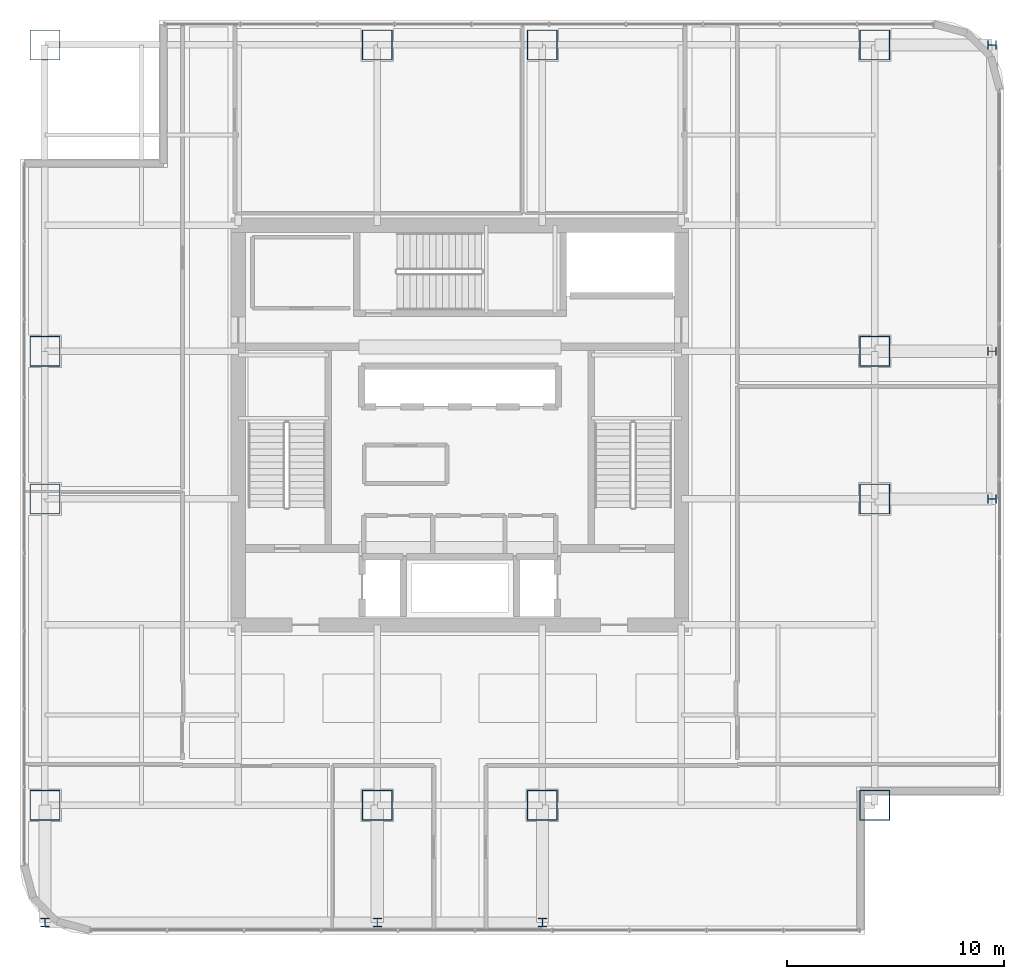
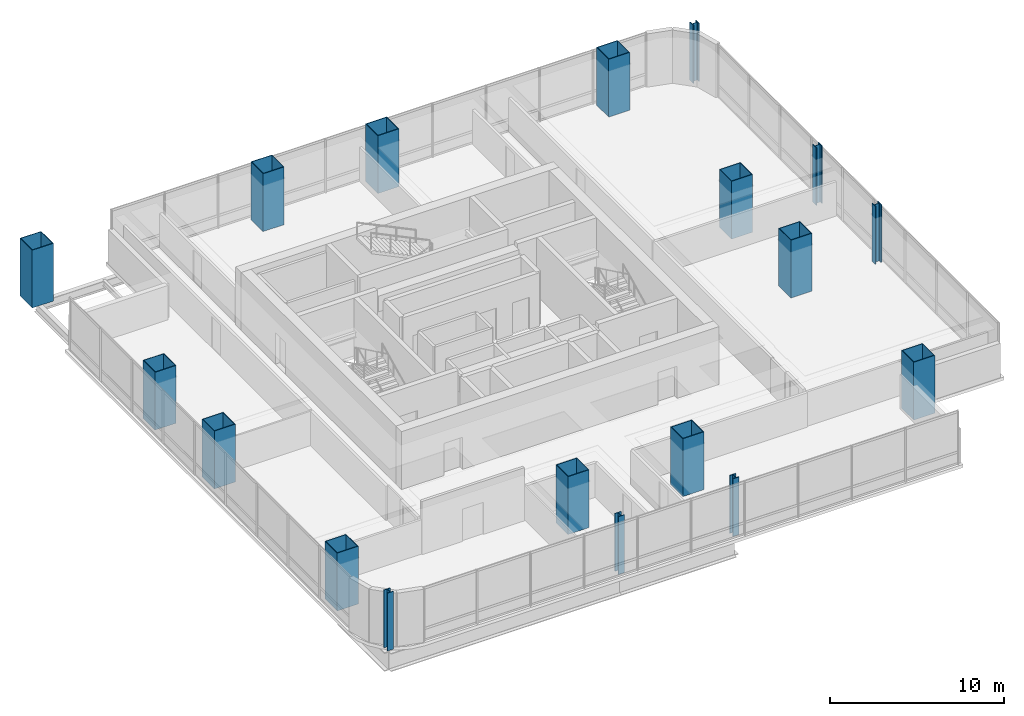
# One storey, part 1 of 35: 18 columns.
"""IFC4 building model written with IfcOpenShell, lengths in metres."""

from ifc_helpers import new_model, si_unit, direction, frame, origin, origin_2d, place, context, subcontext, project, spatial, hollow_rectangle, i_section, extrude, material, material_profile, profile_set, type_object, element, save


model = new_model("IFC4")

# Units and contexts
model_context = context("Model", 3, precision=1e-05, world=origin(), true_north=direction((0.0, 1.0)))
body_context = subcontext(model_context, "Body", "Model", "MODEL_VIEW")
ifc_project = project(units=[si_unit("LENGTHUNIT", "METRE"), si_unit("AREAUNIT", "SQUARE_METRE"), si_unit("VOLUMEUNIT", "CUBIC_METRE"), si_unit("PLANEANGLEUNIT", "RADIAN"), si_unit("MASSUNIT", "GRAM", prefix="KILO")], contexts=[model_context])

# Site, building, storey
site_placement = place(None, origin())
site = spatial("IfcSite", under=ifc_project, at=site_placement, CompositionType="ELEMENT")
building_placement = place(site_placement, origin())
building = spatial("IfcBuilding", under=site, at=building_placement, Name="Punatoya Terracotta Tower", CompositionType="ELEMENT")
storey_placement = place(building_placement, frame((0.0, 0.0, 232.949951171875)))
storey = spatial("IfcBuildingStorey", under=building, at=storey_placement, Name="L55", CompositionType="ELEMENT", Elevation=232.949951171875)

# Columns
ifc_material = material(Name="Steel S460", Category="steel")
ifc_material_profile_1 = material_profile(ifc_material, i_section(OverallWidth=0.408935546875, OverallDepth=0.425048828125, WebThickness=0.031982421875, FlangeThickness=0.052001953125, FilletRadius=0.01806640625, at=origin_2d()))
ifc_profile_set_1 = profile_set([ifc_material_profile_1], Name="Steel S460")
column_type_1 = type_object("IfcColumnType", Name="COL-EX-M2", PredefinedType="COLUMN", material=ifc_profile_set_1)
for number, where, z_axis, x_axis, name in (
    (1, (-19.10009765625, -22.89990234375, 0.0), (0.0, 0.0, 1.0), (1.0, 0.0, 0.0), "L55 Exoskeleton Perimeter Column S1"),
    (2, (-3.800048828125, -22.89990234375, 0.0), (0.0, 0.0, 1.0), (1.0, 0.0, 0.0), "L55 Exoskeleton Perimeter Column S2"),
    (3, (3.800048828125, -22.89990234375, 0.0), (0.0, 0.0, 1.0), (1.0, 0.0, 0.0), "L55 Exoskeleton Perimeter Column S3"),
    (4, (24.5, -3.39990234375, 0.0), (0.0, 0.0, 1.0), (0.0, 1.0, 0.0), "L55 Exoskeleton Perimeter Column E2"),
    (5, (24.5, 3.39990234375, 0.0), (0.0, 0.0, 1.0), (0.0, 1.0, 0.0), "L55 Exoskeleton Perimeter Column E3"),
    (6, (24.5, 17.5, 0.0), (0.0, 0.0, 1.0), (0.0, 1.0, 0.0), "L55 Exoskeleton Perimeter Column E4"),
):
    element("IfcColumn", number, at=place(storey_placement, frame(where, z_axis=z_axis, x_axis=x_axis)), inside=storey, type_object=column_type_1, Name=name, PredefinedType="COLUMN", context=body_context, shape_type="SweptSolid", body=[
        extrude(i_section(OverallWidth=0.408935546875, OverallDepth=0.425048828125, WebThickness=0.031982421875, FlangeThickness=0.052001953125, FilletRadius=0.01806640625, at=origin_2d()), origin(), (0.0, 0.0, 1.0), 4.048095703125),
    ])
ifc_material_profile_2 = material_profile(ifc_material, hollow_rectangle(XDim=1.39990234375, YDim=1.39990234375, WallThickness=0.0419921875, at=origin_2d()))
ifc_profile_set_2 = profile_set([ifc_material_profile_2], Name="Steel S460")
column_type_2 = type_object("IfcColumnType", Name="COL-MC-Z2", PredefinedType="COLUMN", material=ifc_profile_set_2)
for number, where, z_axis, x_axis, name in (
    (7, (-19.10009765625, -17.5, 0.0), (0.0, 0.0, 1.0), (1.0, 0.0, 0.0), "L55 Composite Mega-Column MC-01 (3-B)"),
    (8, (-3.800048828125, -17.5, 0.0), (0.0, 0.0, 1.0), (1.0, 0.0, 0.0), "L55 Composite Mega-Column MC-02 (5-B)"),
    (9, (3.800048828125, -17.5, 0.0), (0.0, 0.0, 1.0), (1.0, 0.0, 0.0), "L55 Composite Mega-Column MC-03 (7-B)"),
    (10, (19.10009765625, -17.5, 0.0), (0.0, 0.0, 1.0), (1.0, 0.0, 0.0), "L55 Composite Mega-Column MC-04 (9-B)"),
    (11, (19.10009765625, -3.39990234375, 0.0), (0.0, 0.0, 1.0), (1.0, 0.0, 0.0), "L55 Composite Mega-Column MC-05 (9-D)"),
    (12, (19.10009765625, 3.39990234375, 0.0), (0.0, 0.0, 1.0), (1.0, 0.0, 0.0), "L55 Composite Mega-Column MC-06 (9-E)"),
    (13, (19.10009765625, 17.5, 0.0), (0.0, 0.0, 1.0), (1.0, 0.0, 0.0), "L55 Composite Mega-Column MC-07 (9-G)"),
    (14, (3.800048828125, 17.5, 0.0), (0.0, 0.0, 1.0), (1.0, 0.0, 0.0), "L55 Composite Mega-Column MC-08 (7-G)"),
    (15, (-3.800048828125, 17.5, 0.0), (0.0, 0.0, 1.0), (1.0, 0.0, 0.0), "L55 Composite Mega-Column MC-09 (5-G)"),
    (16, (-19.10009765625, 17.5, 0.0), (0.0, 0.0, 1.0), (1.0, 0.0, 0.0), "L55 Composite Mega-Column MC-10 (3-G)"),
    (17, (-19.10009765625, 3.39990234375, 0.0), (0.0, 0.0, 1.0), (1.0, 0.0, 0.0), "L55 Composite Mega-Column MC-11 (3-E)"),
    (18, (-19.10009765625, -3.39990234375, 0.0), (0.0, 0.0, 1.0), (1.0, 0.0, 0.0), "L55 Composite Mega-Column MC-12 (3-D)"),
):
    element("IfcColumn", number, at=place(storey_placement, frame(where, z_axis=z_axis, x_axis=x_axis)), inside=storey, type_object=column_type_2, Name=name, PredefinedType="COLUMN", context=body_context, shape_type="SweptSolid", body=[
        extrude(hollow_rectangle(XDim=1.39990234375, YDim=1.39990234375, WallThickness=0.0419921875, at=origin_2d()), origin(), (0.0, 0.0, 1.0), 4.050048828125),
    ])

save(model, "model.ifc")
